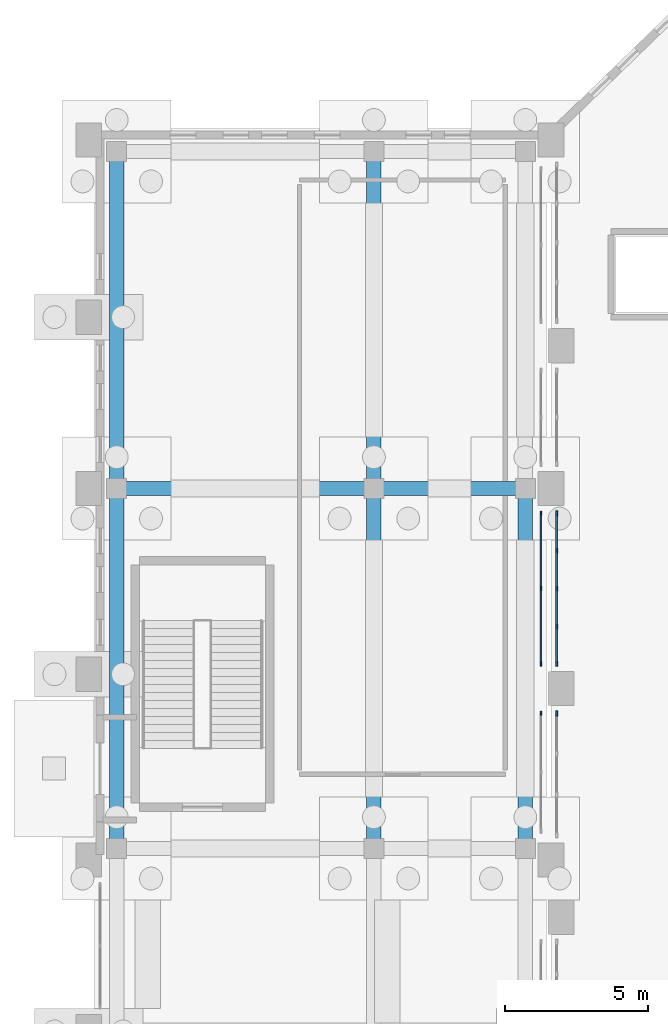
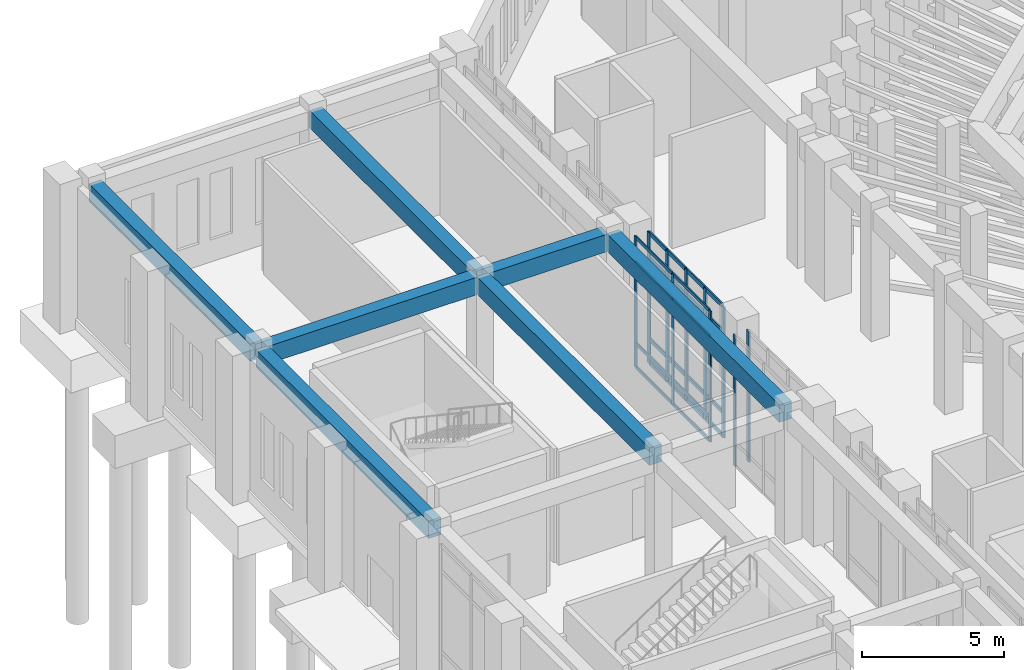
# One storey, part 42 of 143: 34 members, 7 beams, 4 elements without a shape of their own.
"""IFC4 building model written with IfcOpenShell, lengths in metres."""

from ifc_helpers import new_model, si_unit, derived_unit, direction, frame, origin, origin_2d, place, context, subcontext, project, spatial, rectangle, extrude, material, layer, layer_set, material_profile, profile_set, type_object, element, aggregate, save


model = new_model("IFC4")

# Units and contexts
model_context = context("Model", 3, precision=1e-05, world=origin(), true_north=direction((0.0, 1.0)))
body_context = subcontext(model_context, "Body", "Model", "MODEL_VIEW")
ifc_project = project(units=[si_unit("LENGTHUNIT", "METRE"), si_unit("AREAUNIT", "SQUARE_METRE"), si_unit("VOLUMEUNIT", "CUBIC_METRE"), si_unit("PLANEANGLEUNIT", "RADIAN"), si_unit("MASSUNIT", "GRAM", prefix="KILO"), derived_unit("THERMALTRANSMITTANCEUNIT", [(si_unit("MASSUNIT", "GRAM", prefix="KILO"), 1), (si_unit("TIMEUNIT", "SECOND"), -3), (si_unit("THERMODYNAMICTEMPERATUREUNIT", "KELVIN"), -1)])], contexts=[model_context])

# Site, building, storey
site_placement = place(None, origin())
site = spatial("IfcSite", under=ifc_project, at=site_placement, CompositionType="ELEMENT")
building_placement = place(site_placement, origin())
building = spatial("IfcBuilding", under=site, at=building_placement, Name="Valcora Ridge Arena", CompositionType="ELEMENT")
storey_placement = place(building_placement, origin())
storey = spatial("IfcBuildingStorey", under=building, at=storey_placement, Name="L00", CompositionType="ELEMENT", Elevation=0.0)

# Beams
ifc_material_1 = material(Name="Concrete C40/50", Category="concrete")
ifc_material_profile_1 = material_profile(ifc_material_1, rectangle(XDim=0.5, YDim=0.75, at=origin_2d()), Name="RC 500x750")
ifc_profile_set_1 = profile_set([ifc_material_profile_1], Name="Concrete C40/50")
beam_type_1 = type_object("IfcBeamType", Name="TY-BEAM-B-RC500-X", PredefinedType="BEAM", material=ifc_profile_set_1)
beam_1_placement = place(storey_placement, frame((1.0, 83.0, 5.264892578125), z_axis=(1.0, 0.0, 0.0), x_axis=(0.0, 1.0, 0.0)))
element("IfcBeam", 1, at=beam_1_placement, inside=storey, type_object=beam_type_1, Name="B-RC500-X BEM-B-RC500-X-0025", PredefinedType="BEAM", context=body_context, shape_type="SweptSolid", body=[
    extrude(rectangle(XDim=0.5, YDim=0.75, at=origin_2d()), origin(), (0.0, 0.0, 1.0), 8.60009765625),
])
beam_2_placement = place(storey_placement, frame((10.0, 83.0, 5.264892578125), z_axis=(1.0, 0.0, 0.0), x_axis=(0.0, 1.0, 0.0)))
element("IfcBeam", 2, at=beam_2_placement, inside=storey, type_object=beam_type_1, Name="B-RC500-X BEM-B-RC500-X-0026", PredefinedType="BEAM", context=body_context, shape_type="SweptSolid", body=[
    extrude(rectangle(XDim=0.5, YDim=0.75, at=origin_2d()), origin(), (0.0, 0.0, 1.0), 4.89990234375),
])
ifc_material_profile_2 = material_profile(ifc_material_1, rectangle(XDim=0.5, YDim=0.75, at=origin_2d()), Name="RC 500x750")
ifc_profile_set_2 = profile_set([ifc_material_profile_2], Name="Concrete C40/50")
beam_type_2 = type_object("IfcBeamType", Name="TY-BEAM-B-RC500-Y", PredefinedType="BEAM", material=ifc_profile_set_2)
beam_3_placement = place(storey_placement, frame((0.800048828125, 70.60009765625, 5.264892578125), z_axis=(0.0, 1.0, 0.0), x_axis=(-1.0, 0.0, 0.0)))
element("IfcBeam", 3, at=beam_3_placement, inside=storey, type_object=beam_type_2, Name="B-RC500-Y BEM-B-RC500-Y-0007", PredefinedType="BEAM", context=body_context, shape_type="SweptSolid", body=[
    extrude(rectangle(XDim=0.5, YDim=0.75, at=origin_2d()), origin(), (0.0, 0.0, 1.0), 12.199951171875),
])
beam_4_placement = place(storey_placement, frame((0.800048828125, 83.199951171875, 5.264892578125), z_axis=(0.0, 1.0, 0.0), x_axis=(-1.0, 0.0, 0.0)))
element("IfcBeam", 4, at=beam_4_placement, inside=storey, type_object=beam_type_2, Name="B-RC500-Y BEM-B-RC500-Y-0008", PredefinedType="BEAM", context=body_context, shape_type="SweptSolid", body=[
    extrude(rectangle(XDim=0.5, YDim=0.75, at=origin_2d()), origin(), (0.0, 0.0, 1.0), 11.400146484375),
])
beam_5_placement = place(storey_placement, frame((9.800048828125, 70.60009765625, 5.264892578125), z_axis=(0.0, 1.0, 0.0), x_axis=(-1.0, 0.0, 0.0)))
element("IfcBeam", 5, at=beam_5_placement, inside=storey, type_object=beam_type_2, Name="B-RC500-Y BEM-B-RC500-Y-0015", PredefinedType="BEAM", context=body_context, shape_type="SweptSolid", body=[
    extrude(rectangle(XDim=0.5, YDim=0.75, at=origin_2d()), origin(), (0.0, 0.0, 1.0), 12.199951171875),
])
beam_6_placement = place(storey_placement, frame((9.800048828125, 83.199951171875, 5.264892578125), z_axis=(0.0, 1.0, 0.0), x_axis=(-1.0, 0.0, 0.0)))
element("IfcBeam", 6, at=beam_6_placement, inside=storey, type_object=beam_type_2, Name="B-RC500-Y BEM-B-RC500-Y-0016", PredefinedType="BEAM", context=body_context, shape_type="SweptSolid", body=[
    extrude(rectangle(XDim=0.5, YDim=0.75, at=origin_2d()), origin(), (0.0, 0.0, 1.0), 11.400146484375),
])
beam_7_placement = place(storey_placement, frame((15.10009765625, 70.60009765625, 5.264892578125), z_axis=(0.0, 1.0, 0.0), x_axis=(-1.0, 0.0, 0.0)))
element("IfcBeam", 7, at=beam_7_placement, inside=storey, type_object=beam_type_2, Name="B-RC500-Y BEM-B-RC500-Y-0022", PredefinedType="BEAM", context=body_context, shape_type="SweptSolid", body=[
    extrude(rectangle(XDim=0.5, YDim=0.75, at=origin_2d()), origin(), (0.0, 0.0, 1.0), 12.199951171875),
])

# Curtain wall, member
ifc_material_2 = material(Name="Anodised dark bronze architectural aluminium 6063-T6", Category="aluminium")
ifc_layer_1 = layer(ifc_material_2, 0.14990234375, Name="Anodised dark bronze architectural aluminium 6063-T6")
ifc_layer_set_1 = layer_set([ifc_layer_1], Name="Anodised dark bronze architectural aluminium 6063-T6")
curtain_wall_type_1 = type_object("IfcCurtainWallType", Name="TY-CURTAINWALL-CW-V4-CLUB-042X56", PredefinedType="NOTDEFINED", material=ifc_layer_set_1)
curtain_wall_1_placement = place(storey_placement, origin())
curtain_wall_1 = element("IfcCurtainWall", 8, at=curtain_wall_1_placement, inside=storey, type_object=curtain_wall_type_1, Name="CW-V4-CLUB-042X56 CW-0200", PredefinedType="NOTDEFINED")
ifc_material_profile_3 = material_profile(ifc_material_2, rectangle(XDim=0.050048828125, YDim=0.14990234375, at=origin_2d()), Name="ALU MULLION 50x150")
ifc_profile_set_3 = profile_set([ifc_material_profile_3], Name="Anodised dark bronze architectural aluminium 6063-T6")
member_type_1 = type_object("IfcMemberType", Name="TY-MEM-CWM-50x150", PredefinedType="MULLION", material=ifc_profile_set_3)
member_1_placement = place(storey_placement, frame((15.64990234375, 75.135009765625, 0.0), z_axis=(0.0, 0.0, 1.0), x_axis=(-1.0, 0.0, 0.0)))
member_1 = element("IfcMember", 9, at=member_1_placement, type_object=member_type_1, Name="CW-0200/CWM-50x150/M02", PredefinedType="MULLION", context=body_context, shape_type="SweptSolid", body=[
    extrude(rectangle(XDim=0.050048828125, YDim=0.14990234375, at=origin_2d()), origin(), (0.0, 0.0, 1.0), 5.639892578125),
])
aggregate(curtain_wall_1, [member_1])

# Curtain wall, members
ifc_layer_2 = layer(ifc_material_2, 0.14990234375, Name="Anodised dark bronze architectural aluminium 6063-T6")
ifc_layer_set_2 = layer_set([ifc_layer_2], Name="Anodised dark bronze architectural aluminium 6063-T6")
curtain_wall_type_2 = type_object("IfcCurtainWallType", Name="TY-CURTAINWALL-CW-V4-CLUB-053X56", PredefinedType="NOTDEFINED", material=ifc_layer_set_2)
curtain_wall_2_placement = place(storey_placement, origin())
curtain_wall_2 = element("IfcCurtainWall", 10, at=curtain_wall_2_placement, inside=storey, type_object=curtain_wall_type_2, Name="CW-V4-CLUB-053X56 CW-0201", PredefinedType="NOTDEFINED")
member_2_placement = place(storey_placement, frame((15.64990234375, 76.864990234375, 0.0), z_axis=(0.0, 0.0, 1.0), x_axis=(-1.0, 0.0, 0.0)))
member_2 = element("IfcMember", 11, at=member_2_placement, type_object=member_type_1, Name="CW-0201/CWM-50x150/M00", PredefinedType="MULLION", context=body_context, shape_type="SweptSolid", body=[
    extrude(rectangle(XDim=0.050048828125, YDim=0.14990234375, at=origin_2d()), origin(), (0.0, 0.0, 1.0), 5.639892578125),
])
member_3_placement = place(storey_placement, frame((15.64990234375, 79.5, 0.0), z_axis=(0.0, 0.0, 1.0), x_axis=(-1.0, 0.0, 0.0)))
member_3 = element("IfcMember", 12, at=member_3_placement, type_object=member_type_1, Name="CW-0201/CWM-50x150/M01", PredefinedType="MULLION", context=body_context, shape_type="SweptSolid", body=[
    extrude(rectangle(XDim=0.050048828125, YDim=0.14990234375, at=origin_2d()), origin(), (0.0, 0.0, 1.0), 5.639892578125),
])
member_4_placement = place(storey_placement, frame((15.64990234375, 82.135009765625, 0.0), z_axis=(0.0, 0.0, 1.0), x_axis=(-1.0, 0.0, 0.0)))
member_4 = element("IfcMember", 13, at=member_4_placement, type_object=member_type_1, Name="CW-0201/CWM-50x150/M02", PredefinedType="MULLION", context=body_context, shape_type="SweptSolid", body=[
    extrude(rectangle(XDim=0.050048828125, YDim=0.14990234375, at=origin_2d()), origin(), (0.0, 0.0, 1.0), 5.639892578125),
])

# Curtain wall, member
ifc_layer_3 = layer(ifc_material_2, 0.179931640625, Name="Anodised dark bronze architectural aluminium 6063-T6")
ifc_layer_set_3 = layer_set([ifc_layer_3], Name="Anodised dark bronze architectural aluminium 6063-T6")
curtain_wall_type_3 = type_object("IfcCurtainWallType", Name="TY-CURTAINWALL-CW-V1-GOTH-043X56", PredefinedType="NOTDEFINED", material=ifc_layer_set_3)
curtain_wall_3_placement = place(storey_placement, origin())
curtain_wall_3 = element("IfcCurtainWall", 14, at=curtain_wall_3_placement, inside=storey, type_object=curtain_wall_type_3, Name="CW-V1-GOTH-043X56 CW-0084", PredefinedType="NOTDEFINED")
ifc_material_profile_4 = material_profile(ifc_material_2, rectangle(XDim=0.06005859375, YDim=0.179931640625, at=origin_2d()), Name="ALU MULLION 60x180")
ifc_profile_set_4 = profile_set([ifc_material_profile_4], Name="Anodised dark bronze architectural aluminium 6063-T6")
member_type_2 = type_object("IfcMemberType", Name="TY-MEM-CWM-60x180", PredefinedType="MULLION", material=ifc_profile_set_4)
member_5_placement = place(storey_placement, frame((16.199951171875, 75.1298828125, 0.0), z_axis=(0.0, 0.0, 1.0), x_axis=(-1.0, 0.0, 0.0)))
member_5 = element("IfcMember", 15, at=member_5_placement, type_object=member_type_2, Name="CW-0084/CWM-60x180/M03", PredefinedType="MULLION", context=body_context, shape_type="SweptSolid", body=[
    extrude(rectangle(XDim=0.06005859375, YDim=0.179931640625, at=origin_2d()), origin(), (0.0, 0.0, 1.0), 5.639892578125),
])
aggregate(curtain_wall_3, [member_5])

# Curtain wall, members
ifc_layer_4 = layer(ifc_material_2, 0.179931640625, Name="Anodised dark bronze architectural aluminium 6063-T6")
ifc_layer_set_4 = layer_set([ifc_layer_4], Name="Anodised dark bronze architectural aluminium 6063-T6")
curtain_wall_type_4 = type_object("IfcCurtainWallType", Name="TY-CURTAINWALL-CW-V1-GOTH-053X56", PredefinedType="NOTDEFINED", material=ifc_layer_set_4)
curtain_wall_4_placement = place(storey_placement, origin())
curtain_wall_4 = element("IfcCurtainWall", 16, at=curtain_wall_4_placement, inside=storey, type_object=curtain_wall_type_4, Name="CW-V1-GOTH-053X56 CW-0085", PredefinedType="NOTDEFINED")
member_6_placement = place(storey_placement, frame((16.199951171875, 76.8701171875, 0.0), z_axis=(0.0, 0.0, 1.0), x_axis=(-1.0, 0.0, 0.0)))
member_6 = element("IfcMember", 17, at=member_6_placement, type_object=member_type_2, Name="CW-0085/CWM-60x180/M00", PredefinedType="MULLION", context=body_context, shape_type="SweptSolid", body=[
    extrude(rectangle(XDim=0.06005859375, YDim=0.179931640625, at=origin_2d()), origin(), (0.0, 0.0, 1.0), 5.639892578125),
])
member_7_placement = place(storey_placement, frame((16.199951171875, 78.169921875, 0.0), z_axis=(0.0, 0.0, 1.0), x_axis=(-1.0, 0.0, 0.0)))
member_7 = element("IfcMember", 18, at=member_7_placement, type_object=member_type_2, Name="CW-0085/CWM-60x180/M01", PredefinedType="MULLION", context=body_context, shape_type="SweptSolid", body=[
    extrude(rectangle(XDim=0.06005859375, YDim=0.179931640625, at=origin_2d()), origin(), (0.0, 0.0, 1.0), 5.639892578125),
])
member_8_placement = place(storey_placement, frame((16.199951171875, 79.5, 0.0), z_axis=(0.0, 0.0, 1.0), x_axis=(-1.0, 0.0, 0.0)))
member_8 = element("IfcMember", 19, at=member_8_placement, type_object=member_type_2, Name="CW-0085/CWM-60x180/M02", PredefinedType="MULLION", context=body_context, shape_type="SweptSolid", body=[
    extrude(rectangle(XDim=0.06005859375, YDim=0.179931640625, at=origin_2d()), origin(), (0.0, 0.0, 1.0), 5.639892578125),
])
member_9_placement = place(storey_placement, frame((16.199951171875, 80.830078125, 0.0), z_axis=(0.0, 0.0, 1.0), x_axis=(-1.0, 0.0, 0.0)))
member_9 = element("IfcMember", 20, at=member_9_placement, type_object=member_type_2, Name="CW-0085/CWM-60x180/M03", PredefinedType="MULLION", context=body_context, shape_type="SweptSolid", body=[
    extrude(rectangle(XDim=0.06005859375, YDim=0.179931640625, at=origin_2d()), origin(), (0.0, 0.0, 1.0), 5.639892578125),
])
member_10_placement = place(storey_placement, frame((16.199951171875, 82.1298828125, 0.0), z_axis=(0.0, 0.0, 1.0), x_axis=(-1.0, 0.0, 0.0)))
member_10 = element("IfcMember", 21, at=member_10_placement, type_object=member_type_2, Name="CW-0085/CWM-60x180/M04", PredefinedType="MULLION", context=body_context, shape_type="SweptSolid", body=[
    extrude(rectangle(XDim=0.06005859375, YDim=0.179931640625, at=origin_2d()), origin(), (0.0, 0.0, 1.0), 5.639892578125),
])

# Member
ifc_material_profile_5 = material_profile(ifc_material_2, rectangle(XDim=0.050048828125, YDim=0.14990234375, at=origin_2d()), Name="ALU TRANSOM 50x150")
ifc_profile_set_5 = profile_set([ifc_material_profile_5], Name="Anodised dark bronze architectural aluminium 6063-T6")
member_type_3 = type_object("IfcMemberType", Name="TY-MEM-CWT-50x150", PredefinedType="USERDEFINED", material=ifc_profile_set_5)
member_11_placement = place(storey_placement, frame((15.64990234375, 76.889892578125, 0.02490234375), z_axis=(0.0, 1.0, 0.0), x_axis=(-1.0, 0.0, 0.0)))
member_11 = element("IfcMember", 22, at=member_11_placement, type_object=member_type_3, Name="CW-0201/CWT-50x150/T00-00", ObjectType="TRANSOM", PredefinedType="USERDEFINED", context=body_context, shape_type="SweptSolid", body=[
    extrude(rectangle(XDim=0.050048828125, YDim=0.14990234375, at=origin_2d()), origin(), (0.0, 0.0, 1.0), 2.585205078125),
])

member_12_placement = place(storey_placement, frame((15.64990234375, 76.889892578125, 1.050048828125), z_axis=(0.0, 1.0, 0.0), x_axis=(-1.0, 0.0, 0.0)))
member_12 = element("IfcMember", 23, at=member_12_placement, type_object=member_type_3, Name="CW-0201/CWT-50x150/T00-01", ObjectType="TRANSOM", PredefinedType="USERDEFINED", context=body_context, shape_type="SweptSolid", body=[
    extrude(rectangle(XDim=0.050048828125, YDim=0.14990234375, at=origin_2d()), origin(), (0.0, 0.0, 1.0), 2.585205078125),
])

member_13_placement = place(storey_placement, frame((15.64990234375, 76.889892578125, 4.5400390625), z_axis=(0.0, 1.0, 0.0), x_axis=(-1.0, 0.0, 0.0)))
member_13 = element("IfcMember", 24, at=member_13_placement, type_object=member_type_3, Name="CW-0201/CWT-50x150/T00-02", ObjectType="TRANSOM", PredefinedType="USERDEFINED", context=body_context, shape_type="SweptSolid", body=[
    extrude(rectangle(XDim=0.050048828125, YDim=0.14990234375, at=origin_2d()), origin(), (0.0, 0.0, 1.0), 2.585205078125),
])

member_14_placement = place(storey_placement, frame((15.64990234375, 76.889892578125, 5.614990234375), z_axis=(0.0, 1.0, 0.0), x_axis=(-1.0, 0.0, 0.0)))
member_14 = element("IfcMember", 25, at=member_14_placement, type_object=member_type_3, Name="CW-0201/CWT-50x150/T00-03", ObjectType="TRANSOM", PredefinedType="USERDEFINED", context=body_context, shape_type="SweptSolid", body=[
    extrude(rectangle(XDim=0.050048828125, YDim=0.14990234375, at=origin_2d()), origin(), (0.0, 0.0, 1.0), 2.585205078125),
])

member_15_placement = place(storey_placement, frame((15.64990234375, 79.52490234375, 0.02490234375), z_axis=(0.0, 1.0, 0.0), x_axis=(-1.0, 0.0, 0.0)))
member_15 = element("IfcMember", 26, at=member_15_placement, type_object=member_type_3, Name="CW-0201/CWT-50x150/T01-00", ObjectType="TRANSOM", PredefinedType="USERDEFINED", context=body_context, shape_type="SweptSolid", body=[
    extrude(rectangle(XDim=0.050048828125, YDim=0.14990234375, at=origin_2d()), origin(), (0.0, 0.0, 1.0), 2.585205078125),
])

member_16_placement = place(storey_placement, frame((15.64990234375, 79.52490234375, 1.050048828125), z_axis=(0.0, 1.0, 0.0), x_axis=(-1.0, 0.0, 0.0)))
member_16 = element("IfcMember", 27, at=member_16_placement, type_object=member_type_3, Name="CW-0201/CWT-50x150/T01-01", ObjectType="TRANSOM", PredefinedType="USERDEFINED", context=body_context, shape_type="SweptSolid", body=[
    extrude(rectangle(XDim=0.050048828125, YDim=0.14990234375, at=origin_2d()), origin(), (0.0, 0.0, 1.0), 2.585205078125),
])

member_17_placement = place(storey_placement, frame((15.64990234375, 79.52490234375, 4.5400390625), z_axis=(0.0, 1.0, 0.0), x_axis=(-1.0, 0.0, 0.0)))
member_17 = element("IfcMember", 28, at=member_17_placement, type_object=member_type_3, Name="CW-0201/CWT-50x150/T01-02", ObjectType="TRANSOM", PredefinedType="USERDEFINED", context=body_context, shape_type="SweptSolid", body=[
    extrude(rectangle(XDim=0.050048828125, YDim=0.14990234375, at=origin_2d()), origin(), (0.0, 0.0, 1.0), 2.585205078125),
])

member_18_placement = place(storey_placement, frame((15.64990234375, 79.52490234375, 5.614990234375), z_axis=(0.0, 1.0, 0.0), x_axis=(-1.0, 0.0, 0.0)))
member_18 = element("IfcMember", 29, at=member_18_placement, type_object=member_type_3, Name="CW-0201/CWT-50x150/T01-03", ObjectType="TRANSOM", PredefinedType="USERDEFINED", context=body_context, shape_type="SweptSolid", body=[
    extrude(rectangle(XDim=0.050048828125, YDim=0.14990234375, at=origin_2d()), origin(), (0.0, 0.0, 1.0), 2.585205078125),
])

aggregate(curtain_wall_2, [member_2, member_3, member_4, member_11, member_12, member_13, member_14, member_15, member_16, member_17, member_18])

ifc_material_profile_6 = material_profile(ifc_material_2, rectangle(XDim=0.06005859375, YDim=0.179931640625, at=origin_2d()), Name="ALU TRANSOM 60x180")
ifc_profile_set_6 = profile_set([ifc_material_profile_6], Name="Anodised dark bronze architectural aluminium 6063-T6")
member_type_4 = type_object("IfcMemberType", Name="TY-MEM-CWT-60x180", PredefinedType="USERDEFINED", material=ifc_profile_set_6)
member_19_placement = place(storey_placement, frame((16.199951171875, 76.89990234375, 0.030029296875), z_axis=(0.0, 1.0, 0.0), x_axis=(-1.0, 0.0, 0.0)))
member_19 = element("IfcMember", 30, at=member_19_placement, type_object=member_type_4, Name="CW-0085/CWT-60x180/T00-00", ObjectType="TRANSOM", PredefinedType="USERDEFINED", context=body_context, shape_type="SweptSolid", body=[
    extrude(rectangle(XDim=0.06005859375, YDim=0.179931640625, at=origin_2d()), origin(), (0.0, 0.0, 1.0), 1.239990234375),
])

member_20_placement = place(storey_placement, frame((16.199951171875, 76.89990234375, 1.050048828125), z_axis=(0.0, 1.0, 0.0), x_axis=(-1.0, 0.0, 0.0)))
member_20 = element("IfcMember", 31, at=member_20_placement, type_object=member_type_4, Name="CW-0085/CWT-60x180/T00-01", ObjectType="TRANSOM", PredefinedType="USERDEFINED", context=body_context, shape_type="SweptSolid", body=[
    extrude(rectangle(XDim=0.06005859375, YDim=0.179931640625, at=origin_2d()), origin(), (0.0, 0.0, 1.0), 1.239990234375),
])

member_21_placement = place(storey_placement, frame((16.199951171875, 76.89990234375, 4.5400390625), z_axis=(0.0, 1.0, 0.0), x_axis=(-1.0, 0.0, 0.0)))
member_21 = element("IfcMember", 32, at=member_21_placement, type_object=member_type_4, Name="CW-0085/CWT-60x180/T00-02", ObjectType="TRANSOM", PredefinedType="USERDEFINED", context=body_context, shape_type="SweptSolid", body=[
    extrude(rectangle(XDim=0.06005859375, YDim=0.179931640625, at=origin_2d()), origin(), (0.0, 0.0, 1.0), 1.239990234375),
])

member_22_placement = place(storey_placement, frame((16.199951171875, 76.89990234375, 5.610107421875), z_axis=(0.0, 1.0, 0.0), x_axis=(-1.0, 0.0, 0.0)))
member_22 = element("IfcMember", 33, at=member_22_placement, type_object=member_type_4, Name="CW-0085/CWT-60x180/T00-03", ObjectType="TRANSOM", PredefinedType="USERDEFINED", context=body_context, shape_type="SweptSolid", body=[
    extrude(rectangle(XDim=0.06005859375, YDim=0.179931640625, at=origin_2d()), origin(), (0.0, 0.0, 1.0), 1.239990234375),
])

member_23_placement = place(storey_placement, frame((16.199951171875, 78.199951171875, 0.030029296875), z_axis=(0.0, 1.0, 0.0), x_axis=(-1.0, 0.0, 0.0)))
member_23 = element("IfcMember", 34, at=member_23_placement, type_object=member_type_4, Name="CW-0085/CWT-60x180/T01-00", ObjectType="TRANSOM", PredefinedType="USERDEFINED", context=body_context, shape_type="SweptSolid", body=[
    extrude(rectangle(XDim=0.06005859375, YDim=0.179931640625, at=origin_2d()), origin(), (0.0, 0.0, 1.0), 1.27001953125),
])

member_24_placement = place(storey_placement, frame((16.199951171875, 78.199951171875, 1.050048828125), z_axis=(0.0, 1.0, 0.0), x_axis=(-1.0, 0.0, 0.0)))
member_24 = element("IfcMember", 35, at=member_24_placement, type_object=member_type_4, Name="CW-0085/CWT-60x180/T01-01", ObjectType="TRANSOM", PredefinedType="USERDEFINED", context=body_context, shape_type="SweptSolid", body=[
    extrude(rectangle(XDim=0.06005859375, YDim=0.179931640625, at=origin_2d()), origin(), (0.0, 0.0, 1.0), 1.27001953125),
])

member_25_placement = place(storey_placement, frame((16.199951171875, 78.199951171875, 4.5400390625), z_axis=(0.0, 1.0, 0.0), x_axis=(-1.0, 0.0, 0.0)))
member_25 = element("IfcMember", 36, at=member_25_placement, type_object=member_type_4, Name="CW-0085/CWT-60x180/T01-02", ObjectType="TRANSOM", PredefinedType="USERDEFINED", context=body_context, shape_type="SweptSolid", body=[
    extrude(rectangle(XDim=0.06005859375, YDim=0.179931640625, at=origin_2d()), origin(), (0.0, 0.0, 1.0), 1.27001953125),
])

member_26_placement = place(storey_placement, frame((16.199951171875, 78.199951171875, 5.610107421875), z_axis=(0.0, 1.0, 0.0), x_axis=(-1.0, 0.0, 0.0)))
member_26 = element("IfcMember", 37, at=member_26_placement, type_object=member_type_4, Name="CW-0085/CWT-60x180/T01-03", ObjectType="TRANSOM", PredefinedType="USERDEFINED", context=body_context, shape_type="SweptSolid", body=[
    extrude(rectangle(XDim=0.06005859375, YDim=0.179931640625, at=origin_2d()), origin(), (0.0, 0.0, 1.0), 1.27001953125),
])

member_27_placement = place(storey_placement, frame((16.199951171875, 79.530029296875, 0.030029296875), z_axis=(0.0, 1.0, 0.0), x_axis=(-1.0, 0.0, 0.0)))
member_27 = element("IfcMember", 38, at=member_27_placement, type_object=member_type_4, Name="CW-0085/CWT-60x180/T02-00", ObjectType="TRANSOM", PredefinedType="USERDEFINED", context=body_context, shape_type="SweptSolid", body=[
    extrude(rectangle(XDim=0.06005859375, YDim=0.179931640625, at=origin_2d()), origin(), (0.0, 0.0, 1.0), 1.27001953125),
])

member_28_placement = place(storey_placement, frame((16.199951171875, 79.530029296875, 1.050048828125), z_axis=(0.0, 1.0, 0.0), x_axis=(-1.0, 0.0, 0.0)))
member_28 = element("IfcMember", 39, at=member_28_placement, type_object=member_type_4, Name="CW-0085/CWT-60x180/T02-01", ObjectType="TRANSOM", PredefinedType="USERDEFINED", context=body_context, shape_type="SweptSolid", body=[
    extrude(rectangle(XDim=0.06005859375, YDim=0.179931640625, at=origin_2d()), origin(), (0.0, 0.0, 1.0), 1.27001953125),
])

member_29_placement = place(storey_placement, frame((16.199951171875, 79.530029296875, 4.5400390625), z_axis=(0.0, 1.0, 0.0), x_axis=(-1.0, 0.0, 0.0)))
member_29 = element("IfcMember", 40, at=member_29_placement, type_object=member_type_4, Name="CW-0085/CWT-60x180/T02-02", ObjectType="TRANSOM", PredefinedType="USERDEFINED", context=body_context, shape_type="SweptSolid", body=[
    extrude(rectangle(XDim=0.06005859375, YDim=0.179931640625, at=origin_2d()), origin(), (0.0, 0.0, 1.0), 1.27001953125),
])

member_30_placement = place(storey_placement, frame((16.199951171875, 79.530029296875, 5.610107421875), z_axis=(0.0, 1.0, 0.0), x_axis=(-1.0, 0.0, 0.0)))
member_30 = element("IfcMember", 41, at=member_30_placement, type_object=member_type_4, Name="CW-0085/CWT-60x180/T02-03", ObjectType="TRANSOM", PredefinedType="USERDEFINED", context=body_context, shape_type="SweptSolid", body=[
    extrude(rectangle(XDim=0.06005859375, YDim=0.179931640625, at=origin_2d()), origin(), (0.0, 0.0, 1.0), 1.27001953125),
])

member_31_placement = place(storey_placement, frame((16.199951171875, 80.860107421875, 0.030029296875), z_axis=(0.0, 1.0, 0.0), x_axis=(-1.0, 0.0, 0.0)))
member_31 = element("IfcMember", 42, at=member_31_placement, type_object=member_type_4, Name="CW-0085/CWT-60x180/T03-00", ObjectType="TRANSOM", PredefinedType="USERDEFINED", context=body_context, shape_type="SweptSolid", body=[
    extrude(rectangle(XDim=0.06005859375, YDim=0.179931640625, at=origin_2d()), origin(), (0.0, 0.0, 1.0), 1.239990234375),
])

member_32_placement = place(storey_placement, frame((16.199951171875, 80.860107421875, 1.050048828125), z_axis=(0.0, 1.0, 0.0), x_axis=(-1.0, 0.0, 0.0)))
member_32 = element("IfcMember", 43, at=member_32_placement, type_object=member_type_4, Name="CW-0085/CWT-60x180/T03-01", ObjectType="TRANSOM", PredefinedType="USERDEFINED", context=body_context, shape_type="SweptSolid", body=[
    extrude(rectangle(XDim=0.06005859375, YDim=0.179931640625, at=origin_2d()), origin(), (0.0, 0.0, 1.0), 1.239990234375),
])

member_33_placement = place(storey_placement, frame((16.199951171875, 80.860107421875, 4.5400390625), z_axis=(0.0, 1.0, 0.0), x_axis=(-1.0, 0.0, 0.0)))
member_33 = element("IfcMember", 44, at=member_33_placement, type_object=member_type_4, Name="CW-0085/CWT-60x180/T03-02", ObjectType="TRANSOM", PredefinedType="USERDEFINED", context=body_context, shape_type="SweptSolid", body=[
    extrude(rectangle(XDim=0.06005859375, YDim=0.179931640625, at=origin_2d()), origin(), (0.0, 0.0, 1.0), 1.239990234375),
])

member_34_placement = place(storey_placement, frame((16.199951171875, 80.860107421875, 5.610107421875), z_axis=(0.0, 1.0, 0.0), x_axis=(-1.0, 0.0, 0.0)))
member_34 = element("IfcMember", 45, at=member_34_placement, type_object=member_type_4, Name="CW-0085/CWT-60x180/T03-03", ObjectType="TRANSOM", PredefinedType="USERDEFINED", context=body_context, shape_type="SweptSolid", body=[
    extrude(rectangle(XDim=0.06005859375, YDim=0.179931640625, at=origin_2d()), origin(), (0.0, 0.0, 1.0), 1.239990234375),
])

aggregate(curtain_wall_4, [member_6, member_7, member_8, member_9, member_10, member_19, member_20, member_21, member_22, member_23, member_24, member_25, member_26, member_27, member_28, member_29, member_30, member_31, member_32, member_33, member_34])

save(model, "model.ifc")
